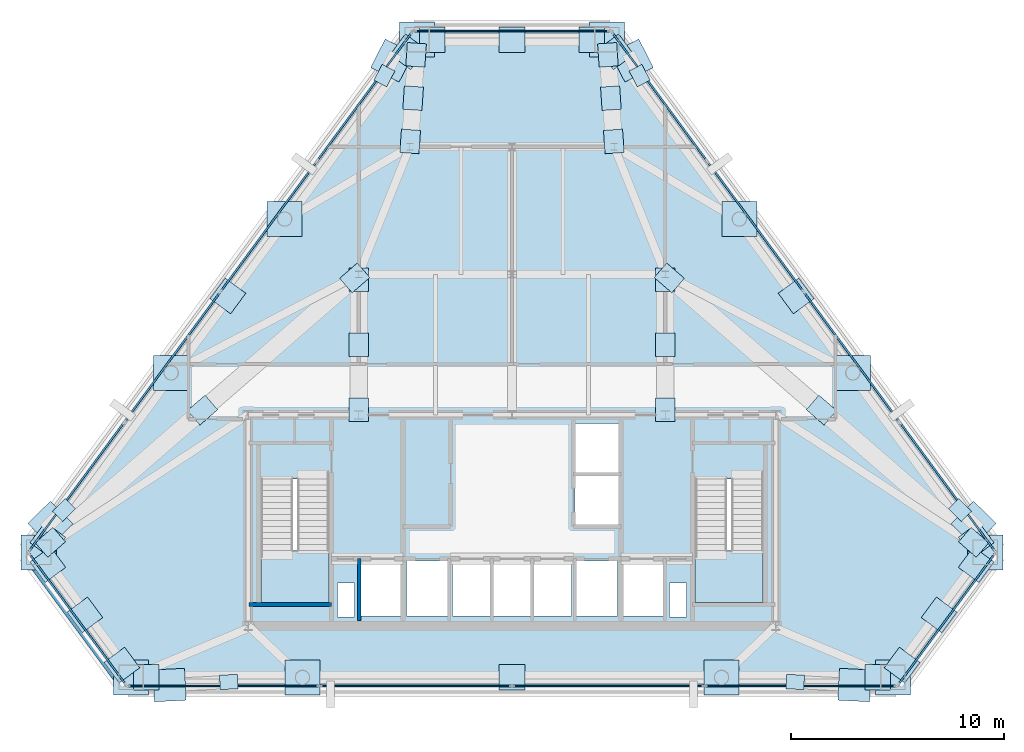
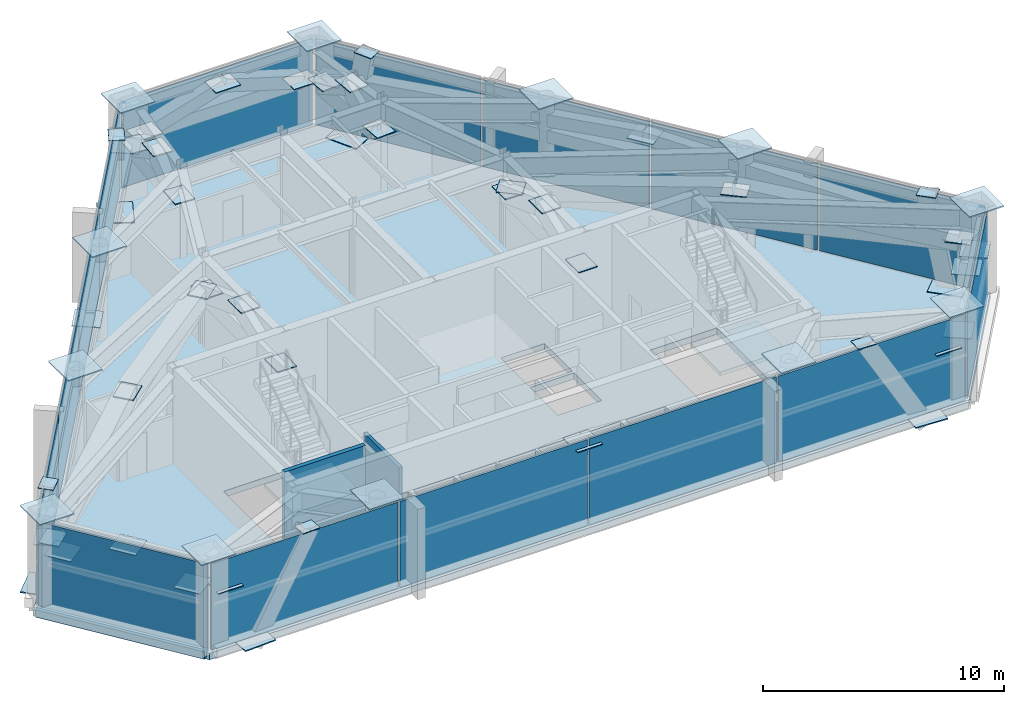
# One storey, part 5 of 10: 75 plates, 3 slabs, 3 walls, 8 elements without a shape of their own.
"""IFC4 building model written with IfcOpenShell, lengths in metres."""

from ifc_helpers import new_model, si_unit, direction, frame, frame_2d, origin, origin_2d, place, context, subcontext, project, spatial, polyline, rectangle, outline, extrude, source, transform, mapped, material, layer, layer_set, type_object, type_shapes, element, aggregate, save


model = new_model("IFC4")

# Units and contexts
model_context = context("Model", 3, precision=1e-05, world=origin(), true_north=direction((0.0, 1.0)))
body_context = subcontext(model_context, "Body", "Model", "MODEL_VIEW")
ifc_project = project(units=[si_unit("LENGTHUNIT", "METRE"), si_unit("AREAUNIT", "SQUARE_METRE"), si_unit("VOLUMEUNIT", "CUBIC_METRE"), si_unit("PLANEANGLEUNIT", "RADIAN"), si_unit("MASSUNIT", "GRAM", prefix="KILO")], contexts=[model_context])

# Site, building, storey
site_placement = place(None, origin())
site = spatial("IfcSite", under=ifc_project, at=site_placement, CompositionType="ELEMENT")
building_placement = place(site_placement, origin())
building = spatial("IfcBuilding", under=site, at=building_placement, Name="Talgorran Terracotta Tower", CompositionType="ELEMENT")
storey_placement = place(building_placement, frame((0.0, 0.0, 168.89990234375)))
storey = spatial("IfcBuildingStorey", under=building, at=storey_placement, Name="L44", CompositionType="ELEMENT", Elevation=168.89990234375)

# Plates
ifc_material_1 = material(Name="Steel Grade 350 (350L0)", Category="steel")
ifc_layer_1 = layer(ifc_material_1, 0.035888671875, Name="PL_CAP_MN06")
ifc_layer_set_1 = layer_set([ifc_layer_1], Name="Steel Grade 350 (350L0)")
plate_type_1 = type_object("IfcPlateType", Name="PL_CAP_MN06", PredefinedType="USERDEFINED", material=ifc_layer_set_1)
for number, where, z_axis, x_axis, name in (
    (1, (-13.307373046875, -16.74560546875, 4.4921875), (0.0, 0.0, 1.0), (0.998656800906, 0.051813067891, 0.0), "L44 Diagonal Frame End Cap SWF Top"),
    (2, (13.307373046875, -16.74560546875, 4.4921875), (0.0, 0.0, 1.0), (-0.998656800906, 0.051813067891, 0.0), "L44 Diagonal Frame End Cap SEF Top"),
    (3, (21.044189453125, -8.6689453125, 4.4921875), (0.0, 0.0, 1.0), (-0.709324729572, 0.704881853942, 0.0), "L44 Diagonal Frame End Cap NEL Top"),
    (4, (5.992919921875, 11.7421875, 4.4921875), (0.0, 0.0, 1.0), (0.455234136597, -0.890371765543, 0.0), "L44 Diagonal Frame End Cap NEU Top"),
    (5, (-5.992919921875, 11.7421875, 4.4921875), (0.0, 0.0, 1.0), (-0.455234136597, -0.890371765543, 0.0), "L44 Diagonal Frame End Cap NWU Top"),
    (6, (-21.044189453125, -8.6689453125, 4.4921875), (0.0, 0.0, 1.0), (0.709324729572, 0.704881853942, 0.0), "L44 Diagonal Frame End Cap NWL Top"),
):
    element("IfcPlate", number, at=place(storey_placement, frame(where, z_axis=z_axis, x_axis=x_axis)), inside=storey, type_object=plate_type_1, Name=name, ObjectType="CAP PLATE", PredefinedType="USERDEFINED", context=body_context, shape_type="SweptSolid", body=[
        extrude(rectangle(XDim=0.840087890625, YDim=0.679931640625, at=origin_2d()), origin(), (0.0, 0.0, 1.0), 0.035888671875),
    ])
ifc_layer_2 = layer(ifc_material_1, 0.044921875, Name="PL_GUS_MN08")
ifc_layer_set_2 = layer_set([ifc_layer_2], Name="Steel Grade 350 (350L0)")
plate_type_2 = type_object("IfcPlateType", Name="PL_GUS_MN08", PredefinedType="SHEET", material=ifc_layer_set_2)
for number, where, z_axis, x_axis, name in (
    (7, (-7.199951171875, -3.949951171875, 2.897705078125), (0.0, 0.0, 1.0), (0.0, 1.0, 0.0), "L44 Outrigger Gusset OR1-A"),
    (8, (-7.199951171875, -0.89990234375, 4.03759765625), (0.0, 0.0, 1.0), (0.0, 1.0, 0.0), "L44 Outrigger Gusset OR1-M"),
    (9, (-7.199951171875, 2.14990234375, 2.897705078125), (0.0, 0.0, 1.0), (0.0, 1.0, 0.0), "L44 Outrigger Gusset OR1-B"),
    (10, (7.199951171875, -3.949951171875, 2.897705078125), (0.0, 0.0, 1.0), (0.0, 1.0, 0.0), "L44 Outrigger Gusset OR2-A"),
    (11, (7.199951171875, -0.89990234375, 4.03759765625), (0.0, 0.0, 1.0), (0.0, 1.0, 0.0), "L44 Outrigger Gusset OR2-M"),
    (12, (7.199951171875, 2.14990234375, 2.897705078125), (0.0, 0.0, 1.0), (0.0, 1.0, 0.0), "L44 Outrigger Gusset OR2-B"),
    (13, (-7.388916015625, 2.236083984375, 2.897705078125), (0.0, 0.0, 1.0), (-0.755052988457, -0.655663774065, 0.0), "L44 Outrigger Gusset OR3-A"),
    (14, (-14.53955078125, -3.97314453125, 4.03759765625), (0.0, 0.0, 1.0), (-0.755052988457, -0.655663774065, 0.0), "L44 Outrigger Gusset OR3-M"),
    (15, (-21.6904296875, -10.1826171875, 2.897705078125), (0.0, 0.0, 1.0), (-0.755052988457, -0.655663774065, 0.0), "L44 Outrigger Gusset OR3-B"),
    (16, (7.388916015625, 2.236083984375, 2.897705078125), (0.0, 0.0, 1.0), (0.755052988457, -0.655663774065, 0.0), "L44 Outrigger Gusset OR4-A"),
    (17, (14.53955078125, -3.97314453125, 4.03759765625), (0.0, 0.0, 1.0), (0.755052988457, -0.655663774065, 0.0), "L44 Outrigger Gusset OR4-M"),
    (18, (21.6904296875, -10.1826171875, 2.897705078125), (0.0, 0.0, 1.0), (0.755052988457, -0.655663774065, 0.0), "L44 Outrigger Gusset OR4-B"),
    (19, (-4.782958984375, 8.6494140625, 2.897705078125), (0.0, 0.0, 1.0), (0.068015290665, 0.997684278836, 0.0), "L44 Outrigger Gusset OR5-A"),
    (20, (-4.64453125, 10.682861328125, 4.03759765625), (0.0, 0.0, 1.0), (0.068015290665, 0.997684278836, 0.0), "L44 Outrigger Gusset OR5-M"),
    (21, (-4.506103515625, 12.71630859375, 2.897705078125), (0.0, 0.0, 1.0), (0.068015290665, 0.997684278836, 0.0), "L44 Outrigger Gusset OR5-B"),
    (22, (4.782958984375, 8.6494140625, 2.897705078125), (0.0, 0.0, 1.0), (-0.068015290665, 0.997684278836, 0.0), "L44 Outrigger Gusset OR6-A"),
    (23, (4.64453125, 10.682861328125, 4.03759765625), (0.0, 0.0, 1.0), (-0.068015290665, 0.997684278836, 0.0), "L44 Outrigger Gusset OR6-M"),
    (24, (4.506103515625, 12.71630859375, 2.897705078125), (0.0, 0.0, 1.0), (-0.068015290665, 0.997684278836, 0.0), "L44 Outrigger Gusset OR6-B"),
):
    element("IfcPlate", number, at=place(storey_placement, frame(where, z_axis=z_axis, x_axis=x_axis)), inside=storey, type_object=plate_type_2, Name=name, PredefinedType="SHEET", context=body_context, shape_type="SweptSolid", body=[
        extrude(rectangle(XDim=1.10009765625, YDim=0.89990234375, at=origin_2d()), origin(), (0.0, 0.0, 1.0), 0.044921875),
    ])
ifc_layer_3 = layer(ifc_material_1, 0.06005859375, Name="PL_NODE_MN01")
ifc_layer_set_3 = layer_set([ifc_layer_3], Name="Steel Grade 350 (350L0)")
plate_type_3 = type_object("IfcPlateType", Name="PL_NODE_MN01", PredefinedType="USERDEFINED", material=ifc_layer_set_3)
for number, where, z_axis, x_axis, name in (
    (25, (-22.234130859375, -10.654541015625, 4.78515625), (0.0, 0.0, 1.0), (1.0, 0.0, 0.0), "L44 Mega-Column Cap Plate MC1"),
    (26, (-17.898193359375, -16.530029296875, 4.78515625), (0.0, 0.0, 1.0), (1.0, 0.0, 0.0), "L44 Mega-Column Cap Plate MC2"),
    (27, (17.898193359375, -16.530029296875, 4.78515625), (0.0, 0.0, 1.0), (1.0, 0.0, 0.0), "L44 Mega-Column Cap Plate MC3"),
    (28, (22.234130859375, -10.654541015625, 4.78515625), (0.0, 0.0, 1.0), (1.0, 0.0, 0.0), "L44 Mega-Column Cap Plate MC4"),
    (29, (4.45703125, 13.4345703125, 4.78515625), (0.0, 0.0, 1.0), (1.0, 0.0, 0.0), "L44 Mega-Column Cap Plate MC5"),
    (30, (-4.45703125, 13.4345703125, 4.78515625), (0.0, 0.0, 1.0), (1.0, 0.0, 0.0), "L44 Mega-Column Cap Plate MC6"),
    (31, (-9.843994140625, -16.530029296875, 4.78515625), (0.0, 0.0, 1.0), (1.0, 0.0, 0.0), "L44 Facet Column Cap Plate FC1"),
    (32, (9.843994140625, -16.530029296875, 4.78515625), (0.0, 0.0, 1.0), (1.0, 0.0, 0.0), "L44 Facet Column Cap Plate FC2"),
    (33, (16.01220703125, -2.223388671875, 4.78515625), (0.0, 0.0, 1.0), (1.0, 0.0, 0.0), "L44 Facet Column Cap Plate FC3"),
    (34, (10.67919921875, 5.00341796875, 4.78515625), (0.0, 0.0, 1.0), (1.0, 0.0, 0.0), "L44 Facet Column Cap Plate FC4"),
    (35, (-10.67919921875, 5.00341796875, 4.78515625), (0.0, 0.0, 1.0), (1.0, 0.0, 0.0), "L44 Facet Column Cap Plate FC5"),
    (36, (-16.01220703125, -2.223388671875, 4.78515625), (0.0, 0.0, 1.0), (1.0, 0.0, 0.0), "L44 Facet Column Cap Plate FC6"),
):
    element("IfcPlate", number, at=place(storey_placement, frame(where, z_axis=z_axis, x_axis=x_axis)), inside=storey, type_object=plate_type_3, Name=name, ObjectType="NODE PLATE", PredefinedType="USERDEFINED", context=body_context, shape_type="SweptSolid", body=[
        extrude(rectangle(XDim=1.64990234375, YDim=1.64990234375, at=origin_2d()), origin(), (0.0, 0.0, 1.0), 0.06005859375),
    ])
ifc_layer_4 = layer(ifc_material_1, 0.054931640625, Name="PL_NODE_MN02")
ifc_layer_set_4 = layer_set([ifc_layer_4], Name="Steel Grade 350 (350L0)")
plate_type_4 = type_object("IfcPlateType", Name="PL_NODE_MN02", PredefinedType="USERDEFINED", material=ifc_layer_set_4)
for number, where, z_axis, x_axis, name in (
    (37, (-16.09130859375, -16.889892578125, -0.017578125), (0.0, 0.0, 1.0), (0.998656800906, 0.051813067891, 0.0), "L44 Diagonal Frame End Cap SWF Bot"),
    (38, (16.09130859375, -16.889892578125, -0.017578125), (0.0, 0.0, 1.0), (-0.998656800906, 0.051813067891, 0.0), "L44 Diagonal Frame End Cap SEF Bot"),
    (39, (21.689208984375, -9.309814453125, -0.017578125), (0.0, 0.0, 1.0), (-0.709324729572, 0.704881853942, 0.0), "L44 Diagonal Frame End Cap NEL Bot"),
    (40, (5.631103515625, 12.449951171875, -0.017578125), (0.0, 0.0, 1.0), (0.455234136597, -0.890371765543, 0.0), "L44 Diagonal Frame End Cap NEU Bot"),
    (41, (-5.631103515625, 12.449951171875, -0.017578125), (0.0, 0.0, 1.0), (-0.455234136597, -0.890371765543, 0.0), "L44 Diagonal Frame End Cap NWU Bot"),
    (42, (-21.689208984375, -9.309814453125, -0.017578125), (0.0, 0.0, 1.0), (0.709324729572, 0.704881853942, 0.0), "L44 Diagonal Frame End Cap NWL Bot"),
):
    element("IfcPlate", number, at=place(storey_placement, frame(where, z_axis=z_axis, x_axis=x_axis)), inside=storey, type_object=plate_type_4, Name=name, ObjectType="NODE PLATE", PredefinedType="USERDEFINED", context=body_context, shape_type="SweptSolid", body=[
        extrude(rectangle(XDim=1.5, YDim=1.5, at=origin_2d()), origin(), (0.0, 0.0, 1.0), 0.054931640625),
    ])
ifc_layer_5 = layer(ifc_material_1, 0.044921875, Name="PL_NODE_MN04")
ifc_layer_set_5 = layer_set([ifc_layer_5], Name="Steel Grade 350 (350L0)")
plate_type_5 = type_object("IfcPlateType", Name="PL_NODE_MN04", PredefinedType="USERDEFINED", material=ifc_layer_set_5)
for number, where, z_axis, x_axis, name in (
    (43, (-21.806640625, -11.23388671875, 2.897705078125), (0.0, 0.0, 1.0), (0.593840246647, -0.804582973635, 0.0), "L44 Belt Node Plate BT1-A"),
    (44, (-20.066162109375, -13.59228515625, 4.03759765625), (0.0, 0.0, 1.0), (0.593840246647, -0.804582973635, 0.0), "L44 Belt Node Plate BT1-M"),
    (45, (-18.32568359375, -15.95068359375, 2.897705078125), (0.0, 0.0, 1.0), (0.593840246647, -0.804582973635, 0.0), "L44 Belt Node Plate BT1-B"),
    (46, (-17.17822265625, -16.530029296875, 2.897705078125), (0.0, 0.0, 1.0), (1.0, 0.0, 0.0), "L44 Belt Node Plate BT2-A"),
    (47, (0.0, -16.530029296875, 4.03759765625), (0.0, 0.0, 1.0), (1.0, 0.0, 0.0), "L44 Belt Node Plate BT2-M"),
    (48, (17.17822265625, -16.530029296875, 2.897705078125), (0.0, 0.0, 1.0), (1.0, 0.0, 0.0), "L44 Belt Node Plate BT2-B"),
    (49, (18.32568359375, -15.95068359375, 2.897705078125), (0.0, 0.0, 1.0), (0.593840246647, 0.804582973635, 0.0), "L44 Belt Node Plate BT3-A"),
    (50, (20.066162109375, -13.59228515625, 4.03759765625), (0.0, 0.0, 1.0), (0.593840246647, 0.804582973635, 0.0), "L44 Belt Node Plate BT3-M"),
    (51, (21.806640625, -11.23388671875, 2.897705078125), (0.0, 0.0, 1.0), (0.593840246647, 0.804582973635, 0.0), "L44 Belt Node Plate BT3-B"),
    (52, (21.806640625, -10.0751953125, 2.897705078125), (0.0, 0.0, 1.0), (-0.593840246647, 0.804582973635, 0.0), "L44 Belt Node Plate BT4-A"),
    (53, (13.345703125, 1.389892578125, 4.03759765625), (0.0, 0.0, 1.0), (-0.593840246647, 0.804582973635, 0.0), "L44 Belt Node Plate BT4-M"),
    (54, (4.884521484375, 12.855224609375, 2.897705078125), (0.0, 0.0, 1.0), (-0.593840246647, 0.804582973635, 0.0), "L44 Belt Node Plate BT4-B"),
    (55, (3.737060546875, 13.4345703125, 2.897705078125), (0.0, 0.0, 1.0), (-1.0, 0.0, 0.0), "L44 Belt Node Plate BT5-A"),
    (56, (0.0, 13.4345703125, 4.03759765625), (0.0, 0.0, 1.0), (-1.0, 0.0, 0.0), "L44 Belt Node Plate BT5-M"),
    (57, (-3.737060546875, 13.4345703125, 2.897705078125), (0.0, 0.0, 1.0), (-1.0, 0.0, 0.0), "L44 Belt Node Plate BT5-B"),
    (58, (-4.884521484375, 12.855224609375, 2.897705078125), (0.0, 0.0, 1.0), (-0.593840246647, -0.804582973635, 0.0), "L44 Belt Node Plate BT6-A"),
    (59, (-13.345703125, 1.389892578125, 4.03759765625), (0.0, 0.0, 1.0), (-0.593840246647, -0.804582973635, 0.0), "L44 Belt Node Plate BT6-M"),
    (60, (-21.806640625, -10.0751953125, 2.897705078125), (0.0, 0.0, 1.0), (-0.593840246647, -0.804582973635, 0.0), "L44 Belt Node Plate BT6-B"),
):
    element("IfcPlate", number, at=place(storey_placement, frame(where, z_axis=z_axis, x_axis=x_axis)), inside=storey, type_object=plate_type_5, Name=name, ObjectType="NODE PLATE", PredefinedType="USERDEFINED", context=body_context, shape_type="SweptSolid", body=[
        extrude(rectangle(XDim=1.199951171875, YDim=1.199951171875, at=origin_2d()), origin(), (0.0, 0.0, 1.0), 0.044921875),
    ])

# Stair, slab
ifc_material_2 = material(Name="Concrete C40/50", Category="concrete")
stair_type = type_object("IfcStairType", Name="ST_FIRE_SCISSOR", PredefinedType="HALF_TURN_STAIR", material=ifc_material_2)
stair_1_placement = place(storey_placement, origin())
stair_1 = element("IfcStair", 61, at=stair_1_placement, inside=storey, type_object=stair_type, Name="L44 West Protected Fire Stair ST-01", PredefinedType="HALF_TURN_STAIR")
ifc_layer_6 = layer(ifc_material_2, 0.199951171875, Name="SL_LANDING_200")
ifc_layer_set_6 = layer_set([ifc_layer_6], Name="Concrete C40/50")
slab_type_1 = type_object("IfcSlabType", Name="SL_LANDING_200", PredefinedType="LANDING", material=ifc_layer_set_6)
slab_1_placement = place(storey_placement, frame((0.0, 0.0, 2.2001953125)))
slab_1 = element("IfcSlab", 62, at=slab_1_placement, type_object=slab_type_1, Name="ST-01 landing 1", PredefinedType="LANDING", context=body_context, shape_type="SweptSolid", body=[
    extrude(outline(polyline([(-11.800048828125, -10.56005859375), (-11.800048828125, -13.0), (-8.60009765625, -13.0), (-8.60009765625, -10.56005859375), (-11.800048828125, -10.56005859375)])), origin(), (0.0, 0.0, 1.0), 0.199951171875),
])
aggregate(stair_1, [slab_1])

stair_2_placement = place(storey_placement, origin())
stair_2 = element("IfcStair", 63, at=stair_2_placement, inside=storey, type_object=stair_type, Name="L44 East Protected Fire Stair ST-02", PredefinedType="HALF_TURN_STAIR")
slab_2_placement = place(storey_placement, frame((0.0, 0.0, 2.2001953125)))
slab_2 = element("IfcSlab", 64, at=slab_2_placement, type_object=slab_type_1, Name="ST-02 landing 1", PredefinedType="LANDING", context=body_context, shape_type="SweptSolid", body=[
    extrude(outline(polyline([(8.60009765625, -10.56005859375), (8.60009765625, -13.0), (11.800048828125, -13.0), (11.800048828125, -10.56005859375), (8.60009765625, -10.56005859375)])), origin(), (0.0, 0.0, 1.0), 0.199951171875),
])
aggregate(stair_2, [slab_2])

# Slab
ifc_material_3 = material(Name="Concrete C50/60", Category="concrete")
ifc_layer_7 = layer(ifc_material_3, 0.320068359375, Name="SL_PLANT_320")
ifc_layer_set_7 = layer_set([ifc_layer_7], Name="Concrete C50/60")
slab_type_2 = type_object("IfcSlabType", Name="SL_PLANT_320", PredefinedType="FLOOR", material=ifc_layer_set_7)
slab_3_placement = place(storey_placement, frame((0.0, 0.0, -0.31982421875)))
element("IfcSlab", 65, at=slab_3_placement, inside=storey, type_object=slab_type_2, Name="Storey L44 Structural Floor Slab", PredefinedType="FLOOR", context=body_context, shape_type="SweptSolid", body=[
    extrude(outline(polyline([(-22.88037109375, -10.654541015625), (-18.160888671875, -17.050048828125), (18.160888671875, -17.050048828125), (22.88037109375, -10.654541015625), (4.719482421875, 13.95458984375), (-4.719482421875, 13.95458984375), (-22.88037109375, -10.654541015625)]), holes=[polyline([(-11.800048828125, -7.199951171875), (-11.800048828125, -13.0), (-8.60009765625, -13.0), (-8.60009765625, -7.199951171875), (-11.800048828125, -7.199951171875)]), polyline([(8.60009765625, -7.199951171875), (8.60009765625, -13.0), (11.800048828125, -13.0), (11.800048828125, -7.199951171875), (8.60009765625, -7.199951171875)]), polyline([(-7.10009765625, -13.64990234375), (-5.199951171875, -13.64990234375), (-5.199951171875, -11.050048828125), (-7.10009765625, -11.050048828125), (-7.10009765625, -13.64990234375)]), polyline([(5.199951171875, -13.64990234375), (7.10009765625, -13.64990234375), (7.10009765625, -11.050048828125), (5.199951171875, -11.050048828125), (5.199951171875, -13.64990234375)]), polyline([(3.0, -13.64990234375), (4.949951171875, -13.64990234375), (4.949951171875, -11.050048828125), (3.0, -11.050048828125), (3.0, -13.64990234375)]), polyline([(-4.949951171875, -13.64990234375), (-3.0, -13.64990234375), (-3.0, -11.050048828125), (-4.949951171875, -11.050048828125), (-4.949951171875, -13.64990234375)]), polyline([(2.949951171875, -9.35009765625), (5.050048828125, -9.35009765625), (5.050048828125, -7.050048828125), (2.949951171875, -7.050048828125), (2.949951171875, -9.35009765625)]), polyline([(2.949951171875, -6.89990234375), (5.050048828125, -6.89990234375), (5.050048828125, -4.60009765625), (2.949951171875, -4.60009765625), (2.949951171875, -6.89990234375)]), polyline([(-2.800048828125, -13.64990234375), (-1.0, -13.64990234375), (-1.0, -11.050048828125), (-2.800048828125, -11.050048828125), (-2.800048828125, -13.64990234375)]), polyline([(-0.89990234375, -13.64990234375), (0.89990234375, -13.64990234375), (0.89990234375, -11.050048828125), (-0.89990234375, -11.050048828125), (-0.89990234375, -13.64990234375)]), polyline([(1.0, -13.64990234375), (2.800048828125, -13.64990234375), (2.800048828125, -11.050048828125), (1.0, -11.050048828125), (1.0, -13.64990234375)]), polyline([(-8.199951171875, -13.699951171875), (-7.39990234375, -13.699951171875), (-7.39990234375, -12.10009765625), (-8.199951171875, -12.10009765625), (-8.199951171875, -13.699951171875)]), polyline([(7.39990234375, -13.699951171875), (8.199951171875, -13.699951171875), (8.199951171875, -12.10009765625), (7.39990234375, -12.10009765625), (7.39990234375, -13.699951171875)])]), origin(), (0.0, 0.0, 1.0), 0.31982421875),
])

# Curtain wall, plate
ifc_material_4 = material(Name="Anodised Aluminium Louvre", Category="aluminium")
ifc_layer_8 = layer(ifc_material_4, 0.25, Name="CW_SYS4_LOUVRE")
ifc_layer_set_8 = layer_set([ifc_layer_8], Name="Anodised Aluminium Louvre")
curtain_wall_type = type_object("IfcCurtainWallType", Name="CW_SYS4_LOUVRE", PredefinedType="NOTDEFINED", material=ifc_layer_set_8)
curtain_wall_1_placement = place(storey_placement, origin())
curtain_wall_1 = element("IfcCurtainWall", 66, at=curtain_wall_1_placement, inside=storey, type_object=curtain_wall_type, Name="CW-L44-F0", PredefinedType="NOTDEFINED")
ifc_material_5 = material(Name="Anodised Aluminium Louvre Panel", Category="aluminium")
ifc_layer_9 = layer(ifc_material_5, 0.0849609375, Name="PLT_LOUVRE_BLADE")
ifc_layer_set_9 = layer_set([ifc_layer_9], Name="Anodised Aluminium Louvre Panel")
plate_type_6 = type_object("IfcPlateType", Name="PLT_LOUVRE_BLADE", PredefinedType="CURTAIN_PANEL", material=ifc_layer_set_9)
shared_shape_1 = source(origin(), body_context, "Body", "SweptSolid", [
    extrude(rectangle(XDim=7.629150390625, YDim=0.0849609375, at=origin_2d()), origin(), (0.0, 0.0, 1.0), 4.35009765625),
])
plate_1_placement = place(storey_placement, frame((-20.415771484375, -13.792236328125, 0.0849609375), z_axis=(0.0, 0.0, 1.0), x_axis=(0.593790637498, -0.804619586401, 0.0)))
plate_1 = element("IfcPlate", 67, at=plate_1_placement, type_object=plate_type_6, Name="CW-L44-0 panel 1.1", PredefinedType="CURTAIN_PANEL", context=body_context, shape_type="MappedRepresentation", body=[
    mapped(shared_shape_1, transform((0.0, 0.0, 0.0), scale=1.0)),
])
aggregate(curtain_wall_1, [plate_1])

curtain_wall_2_placement = place(storey_placement, origin())
curtain_wall_2 = element("IfcCurtainWall", 68, at=curtain_wall_2_placement, inside=storey, type_object=curtain_wall_type, Name="CW-L44-F2", PredefinedType="NOTDEFINED")
plate_2_placement = place(storey_placement, frame((20.415771484375, -13.792236328125, 0.0849609375), z_axis=(0.0, 0.0, 1.0), x_axis=(0.593790637498, 0.804619586401, 0.0)))
plate_2 = element("IfcPlate", 69, at=plate_2_placement, type_object=plate_type_6, Name="CW-L44-2 panel 1.1", PredefinedType="CURTAIN_PANEL", context=body_context, shape_type="MappedRepresentation", body=[
    mapped(shared_shape_1, transform((0.0, 0.0, 0.0), scale=1.0)),
])
aggregate(curtain_wall_2, [plate_2])

# Curtain wall, plates
curtain_wall_3_placement = place(storey_placement, origin())
curtain_wall_3 = element("IfcCurtainWall", 70, at=curtain_wall_3_placement, inside=storey, type_object=curtain_wall_type, Name="CW-L44-F1", PredefinedType="NOTDEFINED")
shared_shape_2 = source(origin(), body_context, "Body", "SweptSolid", [
    extrude(rectangle(XDim=8.922607421875, YDim=0.0849609375, at=origin_2d()), origin(), (0.0, 0.0, 1.0), 4.35009765625),
])
plate_3_placement = place(storey_placement, frame((-13.553955078125, -16.929931640625, 0.0849609375), z_axis=(0.0, 0.0, 1.0), x_axis=(1.0, 0.0, 0.0)))
plate_3 = element("IfcPlate", 71, at=plate_3_placement, type_object=plate_type_6, Name="CW-L44-1 panel 1.1", PredefinedType="CURTAIN_PANEL", context=body_context, shape_type="MappedRepresentation", body=[
    mapped(shared_shape_2, transform((0.0, 0.0, 0.0), scale=1.0)),
])
plate_4_placement = place(storey_placement, frame((13.553955078125, -16.929931640625, 0.0849609375), z_axis=(0.0, 0.0, 1.0), x_axis=(1.0, 0.0, 0.0)))
plate_4 = element("IfcPlate", 72, at=plate_4_placement, type_object=plate_type_6, Name="CW-L44-1 panel 4.1", PredefinedType="CURTAIN_PANEL", context=body_context, shape_type="MappedRepresentation", body=[
    mapped(shared_shape_2, transform((0.0, 0.0, 0.0), scale=1.0)),
])
shared_shape_3 = source(origin(), body_context, "Body", "SweptSolid", [
    extrude(rectangle(XDim=8.965087890625, YDim=0.0849609375, at=origin_2d()), origin(), (0.0, 0.0, 1.0), 4.35009765625),
])
plate_5_placement = place(storey_placement, frame((-4.525146484375, -16.929931640625, 0.0849609375), z_axis=(0.0, 0.0, 1.0), x_axis=(1.0, 0.0, 0.0)))
plate_5 = element("IfcPlate", 73, at=plate_5_placement, type_object=plate_type_6, Name="CW-L44-1 panel 2.1", PredefinedType="CURTAIN_PANEL", context=body_context, shape_type="MappedRepresentation", body=[
    mapped(shared_shape_3, transform((0.0, 0.0, 0.0), scale=1.0)),
])
plate_6_placement = place(storey_placement, frame((4.525146484375, -16.929931640625, 0.0849609375), z_axis=(0.0, 0.0, 1.0), x_axis=(1.0, 0.0, 0.0)))
plate_6 = element("IfcPlate", 74, at=plate_6_placement, type_object=plate_type_6, Name="CW-L44-1 panel 3.1", PredefinedType="CURTAIN_PANEL", context=body_context, shape_type="MappedRepresentation", body=[
    mapped(shared_shape_3, transform((0.0, 0.0, 0.0), scale=1.0)),
])
aggregate(curtain_wall_3, [plate_3, plate_5, plate_6, plate_4])

curtain_wall_4_placement = place(storey_placement, origin())
curtain_wall_4 = element("IfcCurtainWall", 75, at=curtain_wall_4_placement, inside=storey, type_object=curtain_wall_type, Name="CW-L44-F3", PredefinedType="NOTDEFINED")
shared_shape_4 = source(origin(), body_context, "Body", "SweptSolid", [
    extrude(rectangle(XDim=7.4814453125, YDim=0.0849609375, at=origin_2d()), origin(), (0.0, 0.0, 1.0), 4.35009765625),
])
plate_7_placement = place(storey_placement, frame((20.459716796875, -7.576416015625, 0.0849609375), z_axis=(0.0, 0.0, 1.0), x_axis=(-0.593787170886, 0.804622144669, 0.0)))
plate_7 = element("IfcPlate", 76, at=plate_7_placement, type_object=plate_type_6, Name="CW-L44-3 panel 1.1", PredefinedType="CURTAIN_PANEL", context=body_context, shape_type="MappedRepresentation", body=[
    mapped(shared_shape_4, transform((0.0, 0.0, 0.0), scale=1.0)),
])
plate_8_placement = place(storey_placement, frame((6.9306640625, 10.75634765625, 0.0849609375), z_axis=(0.0, 0.0, 1.0), x_axis=(-0.593787170886, 0.804622144669, 0.0)))
plate_8 = element("IfcPlate", 77, at=plate_8_placement, type_object=plate_type_6, Name="CW-L44-3 panel 4.1", PredefinedType="CURTAIN_PANEL", context=body_context, shape_type="MappedRepresentation", body=[
    mapped(shared_shape_4, transform((0.0, 0.0, 0.0), scale=1.0)),
])

curtain_wall_5_placement = place(storey_placement, origin())
curtain_wall_5 = element("IfcCurtainWall", 78, at=curtain_wall_5_placement, inside=storey, type_object=curtain_wall_type, Name="CW-L44-F5", PredefinedType="NOTDEFINED")
plate_9_placement = place(storey_placement, frame((-6.9306640625, 10.75634765625, 0.0849609375), z_axis=(0.0, 0.0, 1.0), x_axis=(-0.593787170886, -0.804622144669, 0.0)))
plate_9 = element("IfcPlate", 79, at=plate_9_placement, type_object=plate_type_6, Name="CW-L44-5 panel 1.1", PredefinedType="CURTAIN_PANEL", context=body_context, shape_type="MappedRepresentation", body=[
    mapped(shared_shape_4, transform((0.0, 0.0, 0.0), scale=1.0)),
])
plate_10_placement = place(storey_placement, frame((-20.459716796875, -7.576416015625, 0.0849609375), z_axis=(0.0, 0.0, 1.0), x_axis=(-0.593787170886, -0.804622144669, 0.0)))
plate_10 = element("IfcPlate", 80, at=plate_10_placement, type_object=plate_type_6, Name="CW-L44-5 panel 4.1", PredefinedType="CURTAIN_PANEL", context=body_context, shape_type="MappedRepresentation", body=[
    mapped(shared_shape_4, transform((0.0, 0.0, 0.0), scale=1.0)),
])

# Plate
shared_shape_5 = source(origin(), body_context, "Body", "SweptSolid", [
    extrude(rectangle(XDim=7.52392578125, YDim=0.0849609375, at=origin_2d()), origin(), (0.0, 0.0, 1.0), 4.35009765625),
])
plate_11_placement = place(storey_placement, frame((15.9541015625, -1.47119140625, 0.0849609375), z_axis=(0.0, 0.0, 1.0), x_axis=(-0.593787170886, 0.804622144669, 0.0)))
plate_11 = element("IfcPlate", 81, at=plate_11_placement, type_object=plate_type_6, Name="CW-L44-3 panel 2.1", PredefinedType="CURTAIN_PANEL", context=body_context, shape_type="MappedRepresentation", body=[
    mapped(shared_shape_5, transform((0.0, 0.0, 0.0), scale=1.0)),
])

plate_12_placement = place(storey_placement, frame((11.43603515625, 4.651123046875, 0.0849609375), z_axis=(0.0, 0.0, 1.0), x_axis=(-0.593787170886, 0.804622144669, 0.0)))
plate_12 = element("IfcPlate", 82, at=plate_12_placement, type_object=plate_type_6, Name="CW-L44-3 panel 3.1", PredefinedType="CURTAIN_PANEL", context=body_context, shape_type="MappedRepresentation", body=[
    mapped(shared_shape_5, transform((0.0, 0.0, 0.0), scale=1.0)),
])

aggregate(curtain_wall_4, [plate_7, plate_11, plate_12, plate_8])

plate_13_placement = place(storey_placement, frame((-11.43603515625, 4.651123046875, 0.0849609375), z_axis=(0.0, 0.0, 1.0), x_axis=(-0.593787170886, -0.804622144669, 0.0)))
plate_13 = element("IfcPlate", 83, at=plate_13_placement, type_object=plate_type_6, Name="CW-L44-5 panel 2.1", PredefinedType="CURTAIN_PANEL", context=body_context, shape_type="MappedRepresentation", body=[
    mapped(shared_shape_5, transform((0.0, 0.0, 0.0), scale=1.0)),
])

plate_14_placement = place(storey_placement, frame((-15.9541015625, -1.47119140625, 0.0849609375), z_axis=(0.0, 0.0, 1.0), x_axis=(-0.593787170886, -0.804622144669, 0.0)))
plate_14 = element("IfcPlate", 84, at=plate_14_placement, type_object=plate_type_6, Name="CW-L44-5 panel 3.1", PredefinedType="CURTAIN_PANEL", context=body_context, shape_type="MappedRepresentation", body=[
    mapped(shared_shape_5, transform((0.0, 0.0, 0.0), scale=1.0)),
])

aggregate(curtain_wall_5, [plate_9, plate_13, plate_14, plate_10])

# Curtain wall, plate
curtain_wall_6_placement = place(storey_placement, origin())
curtain_wall_6 = element("IfcCurtainWall", 85, at=curtain_wall_6_placement, inside=storey, type_object=curtain_wall_type, Name="CW-L44-F4", PredefinedType="NOTDEFINED")
shared_shape_6 = source(origin(), body_context, "Body", "SweptSolid", [
    extrude(rectangle(XDim=9.14794921875, YDim=0.0849609375, at=origin_2d()), origin(), (0.0, 0.0, 1.0), 4.35009765625),
])
type_shapes(plate_type_6, [shared_shape_1, shared_shape_2, shared_shape_3, shared_shape_4, shared_shape_5, shared_shape_6])
plate_15_placement = place(storey_placement, frame((0.0, 13.834716796875, 0.0849609375), z_axis=(0.0, 0.0, 1.0), x_axis=(-1.0, 0.0, 0.0)))
plate_15 = element("IfcPlate", 86, at=plate_15_placement, type_object=plate_type_6, Name="CW-L44-4 panel 1.1", PredefinedType="CURTAIN_PANEL", context=body_context, shape_type="MappedRepresentation", body=[
    mapped(shared_shape_6, transform((0.0, 0.0, 0.0), scale=1.0)),
])
aggregate(curtain_wall_6, [plate_15])

# Walls
ifc_layer_10 = layer(ifc_material_3, 0.199951171875, Name="WT_CORE_200")
ifc_layer_set_10 = layer_set([ifc_layer_10], Name="Concrete C50/60")
wall_type_1 = type_object("IfcWallType", Name="WT_CORE_200", PredefinedType="SOLIDWALL", material=ifc_layer_set_10)
wall_1_placement = place(storey_placement, frame((-12.35009765625, -13.10009765625, 0.0), z_axis=(0.0, 0.0, 1.0), x_axis=(1.0, 0.0, 0.0)))
element("IfcWall", 87, at=wall_1_placement, inside=storey, type_object=wall_type_1, Name="WL-L44-CW-ST1-S", PredefinedType="SOLIDWALL", context=body_context, shape_type="SweptSolid", body=[
    extrude(rectangle(XDim=3.8701171875, YDim=0.199951171875, at=frame_2d((1.93505859375, 0.0))), origin(), (0.0, 0.0, 1.0), 4.800048828125),
])
ifc_layer_11 = layer(ifc_material_2, 0.219970703125, Name="WT_PARAPET_RC")
ifc_layer_set_11 = layer_set([ifc_layer_11], Name="Concrete C40/50")
wall_type_2 = type_object("IfcWallType", Name="WT_PARAPET_RC", PredefinedType="PARAPET", material=ifc_layer_set_11)
wall_2_placement = place(storey_placement, frame((-22.8125, -10.81396484375, -0.199951171875), z_axis=(0.0, 0.0, 1.0), x_axis=(0.593789738392, -0.804620249919, 0.0)))
element("IfcWall", 88, at=wall_2_placement, inside=storey, type_object=wall_type_2, Name="L44 Striped Portal Precast Cornice F0", PredefinedType="PARAPET", context=body_context, shape_type="SweptSolid", body=[
    extrude(rectangle(XDim=7.639404296875, YDim=0.360107421875, at=frame_2d((3.81982421875, 0.0))), origin(), (0.0, 0.0, 1.0), 0.380126953125),
])
ifc_material_6 = material(Name="Fire-Rated Shaftwall")
ifc_layer_12 = layer(ifc_material_6, 0.159912109375, Name="WT_PART_150")
ifc_layer_set_12 = layer_set([ifc_layer_12], Name="Fire-Rated Shaftwall")
wall_type_3 = type_object("IfcWallType", Name="WT_PART_150", PredefinedType="PARTITIONING", material=ifc_layer_set_12)
wall_3_placement = place(storey_placement, frame((-7.179931640625, -13.85009765625, 0.0), z_axis=(0.0, 0.0, 1.0), x_axis=(0.0, 1.0, 0.0)))
element("IfcWall", 89, at=wall_3_placement, inside=storey, type_object=wall_type_3, Name="WL-L44-CW-RSW", PredefinedType="PARTITIONING", context=body_context, shape_type="SweptSolid", body=[
    extrude(rectangle(XDim=2.900146484375, YDim=0.159912109375, at=frame_2d((1.4501953125, 0.0))), origin(), (0.0, 0.0, 1.0), 3.64501953125),
])

save(model, "model.ifc")
